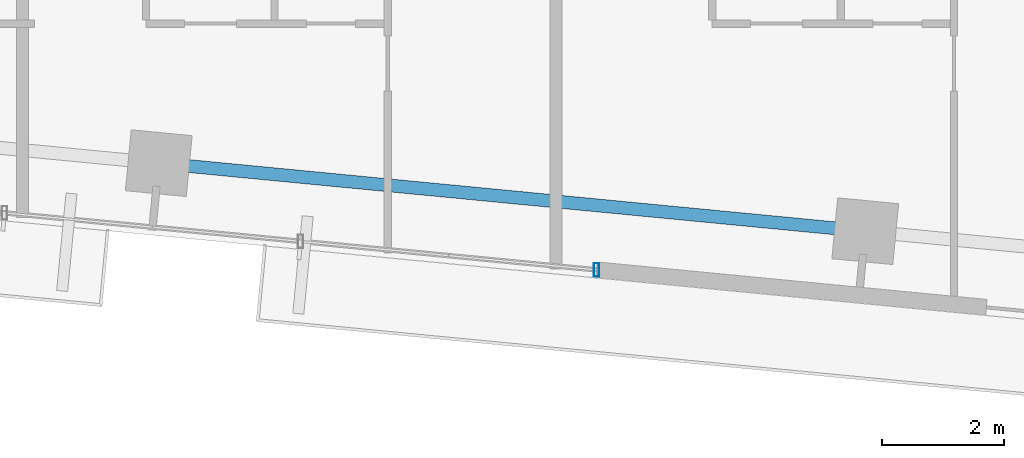
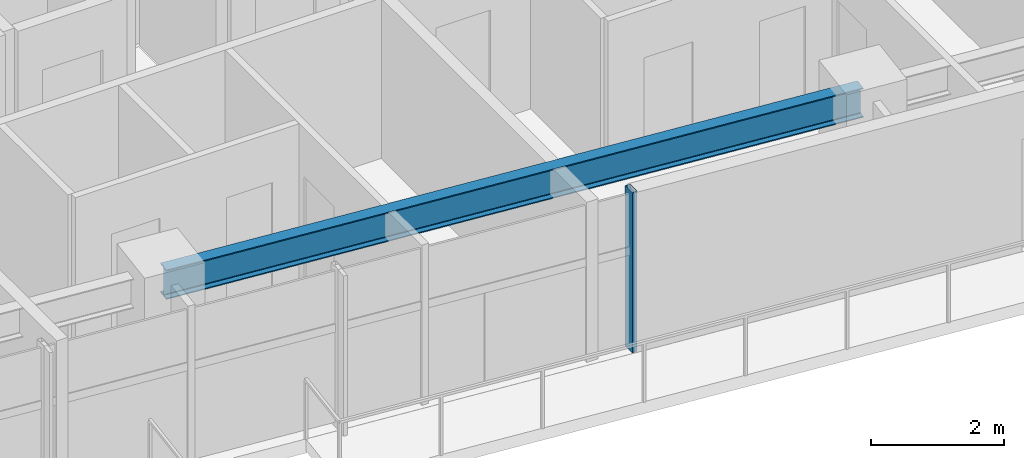
# One storey, part 8 of 19: 1 beam, 1 member, 1 element without a shape of its own.
"""IFC4 building model written with IfcOpenShell, lengths in metres."""

from ifc_helpers import new_model, si_unit, direction, frame, origin, origin_2d, place, context, subcontext, project, spatial, hollow_rectangle, i_section, extrude, source, transform, mapped, material, material_profile, profile_set, type_object, type_shapes, element, aggregate, save


model = new_model("IFC4")

# Units and contexts
model_context = context("Model", 3, precision=1e-05, world=origin(), true_north=direction((0.0, 1.0)))
body_context = subcontext(model_context, "Body", "Model", "MODEL_VIEW")
ifc_project = project(units=[si_unit("LENGTHUNIT", "METRE"), si_unit("AREAUNIT", "SQUARE_METRE"), si_unit("VOLUMEUNIT", "CUBIC_METRE"), si_unit("PLANEANGLEUNIT", "RADIAN"), si_unit("MASSUNIT", "GRAM", prefix="KILO")], contexts=[model_context])

# Site, building, storey
site_placement = place(None, origin())
site = spatial("IfcSite", under=ifc_project, at=site_placement, CompositionType="ELEMENT")
building_placement = place(site_placement, origin())
building = spatial("IfcBuilding", under=site, at=building_placement, Name="Astriad Promenade Condominiums", CompositionType="ELEMENT")
storey_placement = place(building_placement, frame((0.0, 0.0, 143.800048828125)))
storey = spatial("IfcBuildingStorey", under=building, at=storey_placement, Name="L41", CompositionType="ELEMENT", Elevation=143.800048828125)

# Beam
ifc_material_1 = material(Name="Steel ASTM A992 Grade 50", Category="steel")
ifc_material_profile_1 = material_profile(ifc_material_1, i_section(OverallWidth=0.210693359375, OverallDepth=0.53955078125, WebThickness=0.01171875, FlangeThickness=0.018798828125, FilletRadius=0.0166015625, at=origin_2d()), Name="W21X73")
ifc_profile_set_1 = profile_set([ifc_material_profile_1], Name="Steel ASTM A992 Grade 50")
beam_type = type_object("IfcBeamType", Name="STEEL SPANDREL BEAM W21X73", PredefinedType="SPANDREL", material=ifc_profile_set_1)
shared_shape_1 = source(origin(), body_context, "Body", "SweptSolid", [
    extrude(i_section(OverallWidth=0.210693359375, OverallDepth=0.53955078125, WebThickness=0.01171875, FlangeThickness=0.018798828125, FilletRadius=0.0166015625, at=origin_2d()), origin(), (0.0, 0.0, 1.0), 11.52001953125),
])
type_shapes(beam_type, [shared_shape_1])
beam_placement = place(storey_placement, frame((32.013671875, 8.2158203125, 2.670166015625), z_axis=(0.995397412028, -0.095833147335, 0.0), x_axis=(0.095833147335, 0.995397412028, 0.0)))
element("IfcBeam", 1, at=beam_placement, inside=storey, type_object=beam_type, Name="Perimeter Spandrel Beam SP-S3-L41", PredefinedType="SPANDREL", context=body_context, shape_type="MappedRepresentation", body=[
    mapped(shared_shape_1, transform((0.0, 0.0, 0.0), scale=1.0)),
])

# Curtain wall, member
ifc_material_2 = material(Name="Anodised aluminium Black Dark Glass Unitised", Category="aluminium")
curtain_wall_type = type_object("IfcCurtainWallType", Name="CW-B34-DARK", PredefinedType="USERDEFINED", material=ifc_material_2)
curtain_wall_placement = place(storey_placement, origin())
curtain_wall = element("IfcCurtainWall", 2, at=curtain_wall_placement, inside=storey, type_object=curtain_wall_type, Name="CW-L41-S", ObjectType="UNITISED_CURTAIN_WALL", PredefinedType="USERDEFINED")
ifc_material_3 = material(Name="Anodised aluminium 6063-T6 Black", Category="aluminium")
ifc_material_profile_2 = material_profile(ifc_material_3, hollow_rectangle(XDim=0.0849609375, YDim=0.219970703125, WallThickness=0.0048828125, at=origin_2d()), Name="ALU-MUL-85X220")
ifc_profile_set_2 = profile_set([ifc_material_profile_2], Name="Anodised aluminium 6063-T6 Black")
member_type = type_object("IfcMemberType", Name="MUL-ALU-MUL-85X220", PredefinedType="MULLION", material=ifc_profile_set_2)
shared_shape_2 = source(origin(), body_context, "Body", "SweptSolid", [
    extrude(hollow_rectangle(XDim=0.0849609375, YDim=0.219970703125, WallThickness=0.0048828125, at=origin_2d()), origin(), (0.0, 0.0, 1.0), 2.93994140625),
])
type_shapes(member_type, [shared_shape_2])
member_placement = place(storey_placement, frame((39.129638671875, 6.475830078125, 0.0), z_axis=(0.0, 0.0, 1.0), x_axis=(1.0, 0.0, 0.0)))
member = element("IfcMember", 3, at=member_placement, type_object=member_type, Name="CW-L41-S-MUL-00", PredefinedType="MULLION", context=body_context, shape_type="MappedRepresentation", body=[
    mapped(shared_shape_2, transform((0.0, 0.0, 0.0), scale=1.0)),
])
aggregate(curtain_wall, [member])

save(model, "model.ifc")
